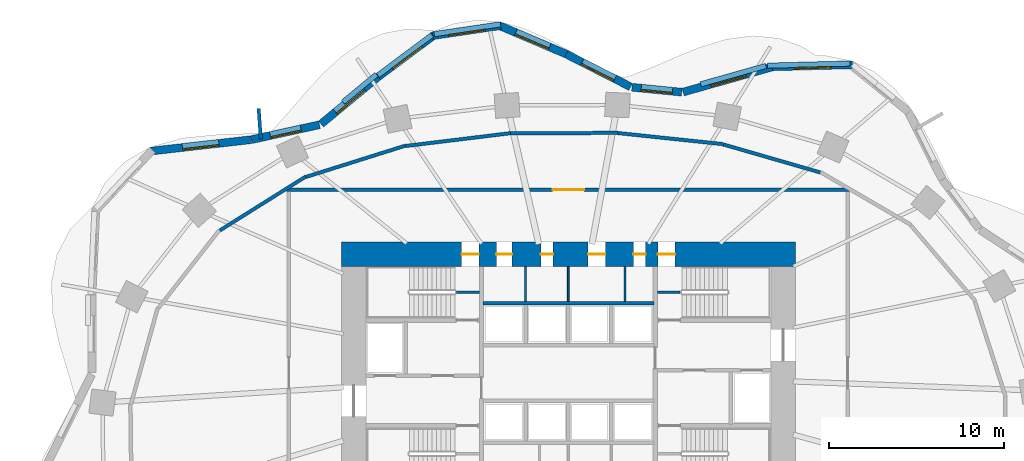
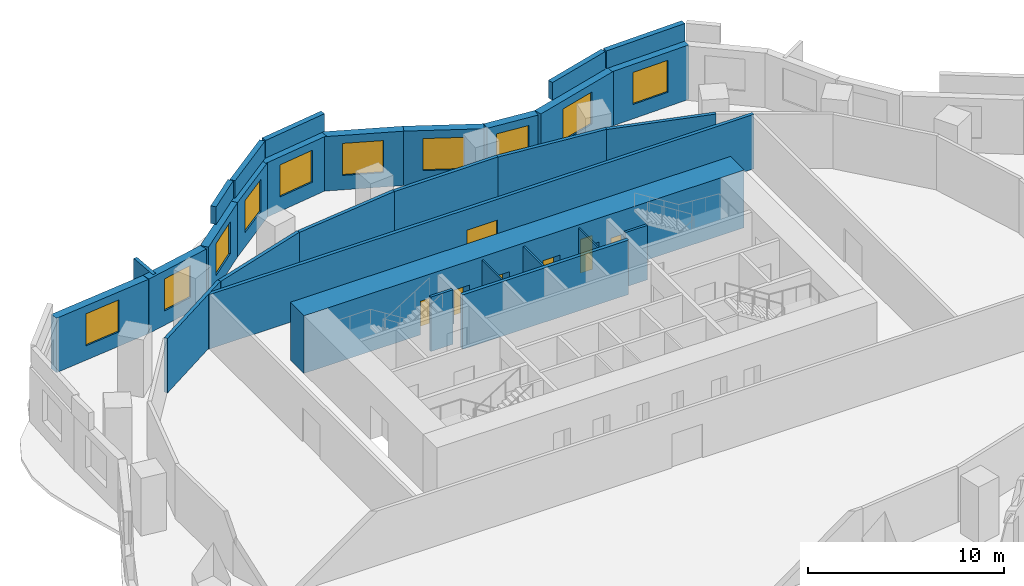
# One storey, part 6 of 8: 30 walls, 10 windows, 7 doors, 17 openings.
"""IFC4 building model written with IfcOpenShell, lengths in metres."""

from ifc_helpers import new_model, si_unit, direction, frame, frame_2d, origin, place, context, subcontext, project, spatial, rectangle, extrude, material, layer, layer_set, type_object, element, fill, save


model = new_model("IFC4")

# Units and contexts
model_context = context("Model", 3, precision=1e-05, world=origin(), true_north=direction((0.0, 1.0)))
body_context = subcontext(model_context, "Body", "Model", "MODEL_VIEW")
ifc_project = project(units=[si_unit("LENGTHUNIT", "METRE"), si_unit("AREAUNIT", "SQUARE_METRE"), si_unit("VOLUMEUNIT", "CUBIC_METRE"), si_unit("PLANEANGLEUNIT", "RADIAN"), si_unit("MASSUNIT", "GRAM", prefix="KILO")], contexts=[model_context])

# Site, building, storey
site_placement = place(None, origin())
site = spatial("IfcSite", under=ifc_project, at=site_placement, CompositionType="ELEMENT")
building_placement = place(site_placement, origin())
building = spatial("IfcBuilding", under=site, at=building_placement, Name="Rubra Terraces Tower", CompositionType="ELEMENT")
storey_placement = place(building_placement, frame((0.0, 0.0, 55.5)))
storey = spatial("IfcBuildingStorey", under=building, at=storey_placement, Name="L11", CompositionType="ELEMENT", Elevation=55.5)

# Wall, opening, window
ifc_material_1 = material(Name="Brick masonry red-brown", Category="masonry")
ifc_layer_1 = layer(ifc_material_1, 0.449951171875)
ifc_layer_set_1 = layer_set([ifc_layer_1], Name="Brick masonry red-brown")
wall_type_1 = type_object("IfcWallType", Name="Brick facade wall 450", PredefinedType="SOLIDWALL", material=ifc_layer_set_1)
wall_1_placement = place(storey_placement, frame((16.264892578125, 22.153076171875, 0.0), z_axis=(0.0, 0.0, 1.0), x_axis=(-0.999672618135, -0.025586257081, 0.0)))
wall_1 = element("IfcWall", 1, at=wall_1_placement, inside=storey, type_object=wall_type_1, Name="Facade wall L11 bay 7", PredefinedType="SOLIDWALL", context=body_context, shape_type="SweptSolid", body=[
    extrude(rectangle(XDim=4.589599609375, YDim=0.449951171875, at=frame_2d((2.294921875, 0.0))), origin(), (0.0, 0.0, 1.0), 3.39990234375),
])
opening_1_placement = place(wall_1_placement, frame((1.244873046875, 0.0, 0.89990234375)))
opening_1 = element("IfcOpeningElement", 2, at=opening_1_placement, cuts=wall_1, Name="Opening W1", PredefinedType="OPENING", context=body_context, shape_type="SweptSolid", body=[
    extrude(rectangle(XDim=2.10009765625, YDim=2.0, at=frame_2d((1.050048828125, 1.0))), frame((0.0, 0.23486328125, 0.0), z_axis=(0.0, -1.0, 0.0), x_axis=(1.0, 0.0, 0.0)), (0.0, 0.0, 1.0), 0.469970703125),
])
ifc_material_2 = material(Name="Clear glass in aluminium frame", Category="aluminium")
window_type_1 = type_object("IfcWindowType", Name="Fixed deep-set window 2100 x 2000", PartitioningType="SINGLE_PANEL", PredefinedType="WINDOW", material=ifc_material_2)
window_1_placement = place(opening_1_placement, origin())
window_1 = element("IfcWindow", 3, at=window_1_placement, inside=storey, type_object=window_type_1, Name="Window L11 bay 7", OverallHeight=2.0, OverallWidth=2.10009765625, PartitioningType="SINGLE_PANEL", PredefinedType="WINDOW", context=body_context, shape_type="SweptSolid", body=[
    extrude(rectangle(XDim=2.10009765625, YDim=2.0, at=frame_2d((1.050048828125, 1.0))), frame((0.0, 0.135009765625, 0.0), z_axis=(0.0, -1.0, 0.0), x_axis=(1.0, 0.0, 0.0)), (0.0, 0.0, 1.0), 0.06005859375),
])
fill(opening_1, window_1)

wall_2_placement = place(storey_placement, frame((11.73193359375, 22.0439453125, 0.0), z_axis=(0.0, 0.0, 1.0), x_axis=(-0.962535416232, -0.271155992925, 0.0)))
wall_2 = element("IfcWall", 4, at=wall_2_placement, inside=storey, type_object=wall_type_1, Name="Facade wall L11 bay 8", PredefinedType="SOLIDWALL", context=body_context, shape_type="SweptSolid", body=[
    extrude(rectangle(XDim=5.357177734375, YDim=0.449951171875, at=frame_2d((2.6787109375, 0.0))), origin(), (0.0, 0.0, 1.0), 3.39990234375),
])
opening_2_placement = place(wall_2_placement, frame((1.628662109375, 0.0, 0.89990234375)))
opening_2 = element("IfcOpeningElement", 5, at=opening_2_placement, cuts=wall_2, Name="Opening W1", PredefinedType="OPENING", context=body_context, shape_type="SweptSolid", body=[
    extrude(rectangle(XDim=2.10009765625, YDim=2.0, at=frame_2d((1.050048828125, 1.0))), frame((0.0, 0.23486328125, 0.0), z_axis=(0.0, -1.0, 0.0), x_axis=(1.0, 0.0, 0.0)), (0.0, 0.0, 1.0), 0.469970703125),
])
window_2_placement = place(opening_2_placement, origin())
window_2 = element("IfcWindow", 6, at=window_2_placement, inside=storey, type_object=window_type_1, Name="Window L11 bay 8", OverallHeight=2.0, OverallWidth=2.10009765625, PartitioningType="SINGLE_PANEL", PredefinedType="WINDOW", context=body_context, shape_type="SweptSolid", body=[
    extrude(rectangle(XDim=2.10009765625, YDim=2.0, at=frame_2d((1.050048828125, 1.0))), frame((0.0, 0.135009765625, 0.0), z_axis=(0.0, -1.0, 0.0), x_axis=(1.0, 0.0, 0.0)), (0.0, 0.0, 1.0), 0.06005859375),
])
fill(opening_2, window_2)

wall_3_placement = place(storey_placement, frame((6.4921875, 20.583984375, 0.0), z_axis=(0.0, 0.0, 1.0), x_axis=(-0.995123748575, 0.098634299418, 0.0)))
wall_3 = element("IfcWall", 7, at=wall_3_placement, inside=storey, type_object=wall_type_1, Name="Facade wall L11 bay 9", PredefinedType="SOLIDWALL", context=body_context, shape_type="SweptSolid", body=[
    extrude(rectangle(XDim=2.86376953125, YDim=0.449951171875, at=frame_2d((1.431884765625, 0.0))), origin(), (0.0, 0.0, 1.0), 3.39990234375),
])
opening_3_placement = place(wall_3_placement, frame((0.531982421875, 0.0, 0.89990234375)))
opening_3 = element("IfcOpeningElement", 8, at=opening_3_placement, cuts=wall_3, Name="Opening W6", PredefinedType="OPENING", context=body_context, shape_type="SweptSolid", body=[
    extrude(rectangle(XDim=1.800048828125, YDim=2.0, at=frame_2d((0.89990234375, 1.0))), frame((0.0, 0.23486328125, 0.0), z_axis=(0.0, -1.0, 0.0), x_axis=(1.0, 0.0, 0.0)), (0.0, 0.0, 1.0), 0.469970703125),
])
window_type_2 = type_object("IfcWindowType", Name="Fixed deep-set window at wind fin 1800 x 2000", PartitioningType="SINGLE_PANEL", PredefinedType="WINDOW", material=ifc_material_2)
window_3_placement = place(opening_3_placement, origin())
window_3 = element("IfcWindow", 9, at=window_3_placement, inside=storey, type_object=window_type_2, Name="Window L11 bay 9", OverallHeight=2.0, OverallWidth=1.800048828125, PartitioningType="SINGLE_PANEL", PredefinedType="WINDOW", context=body_context, shape_type="SweptSolid", body=[
    extrude(rectangle(XDim=1.800048828125, YDim=2.0, at=frame_2d((0.89990234375, 1.0))), frame((0.0, 0.135009765625, 0.0), z_axis=(0.0, -1.0, 0.0), x_axis=(1.0, 0.0, 0.0)), (0.0, 0.0, 1.0), 0.06005859375),
])
fill(opening_3, window_3)

wall_4_placement = place(storey_placement, frame((3.564208984375, 20.888916015625, 0.0), z_axis=(0.0, 0.0, 1.0), x_axis=(-0.891033634447, 0.453937288933, 0.0)))
wall_4 = element("IfcWall", 10, at=wall_4_placement, inside=storey, type_object=wall_type_1, Name="Facade wall L11 bay 10", PredefinedType="SOLIDWALL", context=body_context, shape_type="SweptSolid", body=[
    extrude(rectangle(XDim=4.131591796875, YDim=0.449951171875, at=frame_2d((2.06591796875, 0.0))), origin(), (0.0, 0.0, 1.0), 3.39990234375),
])
opening_4_placement = place(wall_4_placement, frame((1.015869140625, 0.0, 0.89990234375)))
opening_4 = element("IfcOpeningElement", 11, at=opening_4_placement, cuts=wall_4, Name="Opening W1", PredefinedType="OPENING", context=body_context, shape_type="SweptSolid", body=[
    extrude(rectangle(XDim=2.10009765625, YDim=2.0, at=frame_2d((1.050048828125, 1.0))), frame((0.0, 0.23486328125, 0.0), z_axis=(0.0, -1.0, 0.0), x_axis=(1.0, 0.0, 0.0)), (0.0, 0.0, 1.0), 0.469970703125),
])
window_4_placement = place(opening_4_placement, origin())
window_4 = element("IfcWindow", 12, at=window_4_placement, inside=storey, type_object=window_type_1, Name="Window L11 bay 10", OverallHeight=2.0, OverallWidth=2.10009765625, PartitioningType="SINGLE_PANEL", PredefinedType="WINDOW", context=body_context, shape_type="SweptSolid", body=[
    extrude(rectangle(XDim=2.10009765625, YDim=2.0, at=frame_2d((1.050048828125, 1.0))), frame((0.0, 0.135009765625, 0.0), z_axis=(0.0, -1.0, 0.0), x_axis=(1.0, 0.0, 0.0)), (0.0, 0.0, 1.0), 0.06005859375),
])
fill(opening_4, window_4)

wall_5_placement = place(storey_placement, frame((-0.103271484375, 22.7578125, 0.0), z_axis=(0.0, 0.0, 1.0), x_axis=(-0.920037498786, 0.391830321475, 0.0)))
wall_5 = element("IfcWall", 13, at=wall_5_placement, inside=storey, type_object=wall_type_1, Name="Facade wall L11 bay 11", PredefinedType="SOLIDWALL", context=body_context, shape_type="SweptSolid", body=[
    extrude(rectangle(XDim=4.219482421875, YDim=0.449951171875, at=frame_2d((2.10986328125, 0.0))), origin(), (0.0, 0.0, 1.0), 3.39990234375),
])
opening_5_placement = place(wall_5_placement, frame((1.059814453125, 0.0, 0.89990234375)))
opening_5 = element("IfcOpeningElement", 14, at=opening_5_placement, cuts=wall_5, Name="Opening W1", PredefinedType="OPENING", context=body_context, shape_type="SweptSolid", body=[
    extrude(rectangle(XDim=2.10009765625, YDim=2.0, at=frame_2d((1.050048828125, 1.0))), frame((0.0, 0.23486328125, 0.0), z_axis=(0.0, -1.0, 0.0), x_axis=(1.0, 0.0, 0.0)), (0.0, 0.0, 1.0), 0.469970703125),
])
window_5_placement = place(opening_5_placement, origin())
window_5 = element("IfcWindow", 15, at=window_5_placement, inside=storey, type_object=window_type_1, Name="Window L11 bay 11", OverallHeight=2.0, OverallWidth=2.10009765625, PartitioningType="SINGLE_PANEL", PredefinedType="WINDOW", context=body_context, shape_type="SweptSolid", body=[
    extrude(rectangle(XDim=2.10009765625, YDim=2.0, at=frame_2d((1.050048828125, 1.0))), frame((0.0, 0.135009765625, 0.0), z_axis=(0.0, -1.0, 0.0), x_axis=(1.0, 0.0, 0.0)), (0.0, 0.0, 1.0), 0.06005859375),
])
fill(opening_5, window_5)

wall_6_placement = place(storey_placement, frame((-3.8662109375, 24.396484375, 0.0), z_axis=(0.0, 0.0, 1.0), x_axis=(-0.989255112942, -0.146199594798, 0.0)))
wall_6 = element("IfcWall", 16, at=wall_6_placement, inside=storey, type_object=wall_type_1, Name="Facade wall L11 bay 12", PredefinedType="SOLIDWALL", context=body_context, shape_type="SweptSolid", body=[
    extrude(rectangle(XDim=3.954345703125, YDim=0.449951171875, at=frame_2d((1.97705078125, 0.0))), origin(), (0.0, 0.0, 1.0), 3.39990234375),
])
opening_6_placement = place(wall_6_placement, frame((0.92724609375, 0.0, 0.89990234375)))
opening_6 = element("IfcOpeningElement", 17, at=opening_6_placement, cuts=wall_6, Name="Opening W1", PredefinedType="OPENING", context=body_context, shape_type="SweptSolid", body=[
    extrude(rectangle(XDim=2.10009765625, YDim=2.0, at=frame_2d((1.050048828125, 1.0))), frame((0.0, 0.23486328125, 0.0), z_axis=(0.0, -1.0, 0.0), x_axis=(1.0, 0.0, 0.0)), (0.0, 0.0, 1.0), 0.469970703125),
])
window_6_placement = place(opening_6_placement, origin())
window_6 = element("IfcWindow", 18, at=window_6_placement, inside=storey, type_object=window_type_1, Name="Window L11 bay 12", OverallHeight=2.0, OverallWidth=2.10009765625, PartitioningType="SINGLE_PANEL", PredefinedType="WINDOW", context=body_context, shape_type="SweptSolid", body=[
    extrude(rectangle(XDim=2.10009765625, YDim=2.0, at=frame_2d((1.050048828125, 1.0))), frame((0.0, 0.135009765625, 0.0), z_axis=(0.0, -1.0, 0.0), x_axis=(1.0, 0.0, 0.0)), (0.0, 0.0, 1.0), 0.06005859375),
])
fill(opening_6, window_6)

wall_7_placement = place(storey_placement, frame((-7.678466796875, 23.859130859375, 0.0), z_axis=(0.0, 0.0, 1.0), x_axis=(-0.801665619573, -0.597772728046, 0.0)))
wall_7 = element("IfcWall", 19, at=wall_7_placement, inside=storey, type_object=wall_type_1, Name="Facade wall L11 bay 13", PredefinedType="SOLIDWALL", context=body_context, shape_type="SweptSolid", body=[
    extrude(rectangle(XDim=4.0029296875, YDim=0.449951171875, at=frame_2d((2.00146484375, 0.0))), origin(), (0.0, 0.0, 1.0), 3.39990234375),
])
opening_7_placement = place(wall_7_placement, frame((0.951416015625, 0.0, 0.89990234375)))
opening_7 = element("IfcOpeningElement", 20, at=opening_7_placement, cuts=wall_7, Name="Opening W1", PredefinedType="OPENING", context=body_context, shape_type="SweptSolid", body=[
    extrude(rectangle(XDim=2.10009765625, YDim=2.0, at=frame_2d((1.050048828125, 1.0))), frame((0.0, 0.23486328125, 0.0), z_axis=(0.0, -1.0, 0.0), x_axis=(1.0, 0.0, 0.0)), (0.0, 0.0, 1.0), 0.469970703125),
])
window_7_placement = place(opening_7_placement, origin())
window_7 = element("IfcWindow", 21, at=window_7_placement, inside=storey, type_object=window_type_1, Name="Window L11 bay 13", OverallHeight=2.0, OverallWidth=2.10009765625, PartitioningType="SINGLE_PANEL", PredefinedType="WINDOW", context=body_context, shape_type="SweptSolid", body=[
    extrude(rectangle(XDim=2.10009765625, YDim=2.0, at=frame_2d((1.050048828125, 1.0))), frame((0.0, 0.135009765625, 0.0), z_axis=(0.0, -1.0, 0.0), x_axis=(1.0, 0.0, 0.0)), (0.0, 0.0, 1.0), 0.06005859375),
])
fill(opening_7, window_7)

wall_8_placement = place(storey_placement, frame((-10.878662109375, 21.473388671875, 0.0), z_axis=(0.0, 0.0, 1.0), x_axis=(-0.77124668946, -0.636536365023, 0.0)))
wall_8 = element("IfcWall", 22, at=wall_8_placement, inside=storey, type_object=wall_type_1, Name="Facade wall L11 bay 14", PredefinedType="SOLIDWALL", context=body_context, shape_type="SweptSolid", body=[
    extrude(rectangle(XDim=4.2607421875, YDim=0.449951171875, at=frame_2d((2.13037109375, 0.0))), origin(), (0.0, 0.0, 1.0), 3.39990234375),
])
opening_8_placement = place(wall_8_placement, frame((1.080322265625, 0.0, 0.89990234375)))
opening_8 = element("IfcOpeningElement", 23, at=opening_8_placement, cuts=wall_8, Name="Opening W1", PredefinedType="OPENING", context=body_context, shape_type="SweptSolid", body=[
    extrude(rectangle(XDim=2.10009765625, YDim=2.0, at=frame_2d((1.050048828125, 1.0))), frame((0.0, 0.23486328125, 0.0), z_axis=(0.0, -1.0, 0.0), x_axis=(1.0, 0.0, 0.0)), (0.0, 0.0, 1.0), 0.469970703125),
])
window_8_placement = place(opening_8_placement, origin())
window_8 = element("IfcWindow", 24, at=window_8_placement, inside=storey, type_object=window_type_1, Name="Window L11 bay 14", OverallHeight=2.0, OverallWidth=2.10009765625, PartitioningType="SINGLE_PANEL", PredefinedType="WINDOW", context=body_context, shape_type="SweptSolid", body=[
    extrude(rectangle(XDim=2.10009765625, YDim=2.0, at=frame_2d((1.050048828125, 1.0))), frame((0.0, 0.135009765625, 0.0), z_axis=(0.0, -1.0, 0.0), x_axis=(1.0, 0.0, 0.0)), (0.0, 0.0, 1.0), 0.06005859375),
])
fill(opening_8, window_8)

wall_9_placement = place(storey_placement, frame((-14.250732421875, 18.71826171875, 0.0), z_axis=(0.0, 0.0, 1.0), x_axis=(-0.976903627618, -0.213680374267, 0.0)))
wall_9 = element("IfcWall", 25, at=wall_9_placement, inside=storey, type_object=wall_type_1, Name="Facade wall L11 bay 15", PredefinedType="SOLIDWALL", context=body_context, shape_type="SweptSolid", body=[
    extrude(rectangle(XDim=3.970458984375, YDim=0.449951171875, at=frame_2d((1.9853515625, 0.0))), origin(), (0.0, 0.0, 1.0), 3.39990234375),
])
opening_9_placement = place(wall_9_placement, frame((1.085205078125, 0.0, 0.89990234375)))
opening_9 = element("IfcOpeningElement", 26, at=opening_9_placement, cuts=wall_9, Name="Opening W6", PredefinedType="OPENING", context=body_context, shape_type="SweptSolid", body=[
    extrude(rectangle(XDim=1.800048828125, YDim=2.0, at=frame_2d((0.89990234375, 1.0))), frame((0.0, 0.23486328125, 0.0), z_axis=(0.0, -1.0, 0.0), x_axis=(1.0, 0.0, 0.0)), (0.0, 0.0, 1.0), 0.469970703125),
])
window_9_placement = place(opening_9_placement, origin())
window_9 = element("IfcWindow", 27, at=window_9_placement, inside=storey, type_object=window_type_2, Name="Window L11 bay 15", OverallHeight=2.0, OverallWidth=1.800048828125, PartitioningType="SINGLE_PANEL", PredefinedType="WINDOW", context=body_context, shape_type="SweptSolid", body=[
    extrude(rectangle(XDim=1.800048828125, YDim=2.0, at=frame_2d((0.89990234375, 1.0))), frame((0.0, 0.135009765625, 0.0), z_axis=(0.0, -1.0, 0.0), x_axis=(1.0, 0.0, 0.0)), (0.0, 0.0, 1.0), 0.06005859375),
])
fill(opening_9, window_9)

wall_10_placement = place(storey_placement, frame((-18.154296875, 17.864990234375, 0.0), z_axis=(0.0, 0.0, 1.0), x_axis=(-0.993572909097, -0.113193967633, 0.0)))
wall_10 = element("IfcWall", 28, at=wall_10_placement, inside=storey, type_object=wall_type_1, Name="Facade wall L11 bay 16", PredefinedType="SOLIDWALL", context=body_context, shape_type="SweptSolid", body=[
    extrude(rectangle(XDim=5.838623046875, YDim=0.449951171875, at=frame_2d((2.91943359375, 0.0))), origin(), (0.0, 0.0, 1.0), 3.39990234375),
])
opening_10_placement = place(wall_10_placement, frame((1.869384765625, 0.0, 0.89990234375)))
opening_10 = element("IfcOpeningElement", 29, at=opening_10_placement, cuts=wall_10, Name="Opening W1", PredefinedType="OPENING", context=body_context, shape_type="SweptSolid", body=[
    extrude(rectangle(XDim=2.10009765625, YDim=2.0, at=frame_2d((1.050048828125, 1.0))), frame((0.0, 0.23486328125, 0.0), z_axis=(0.0, -1.0, 0.0), x_axis=(1.0, 0.0, 0.0)), (0.0, 0.0, 1.0), 0.469970703125),
])
window_10_placement = place(opening_10_placement, origin())
window_10 = element("IfcWindow", 30, at=window_10_placement, inside=storey, type_object=window_type_1, Name="Window L11 bay 16", OverallHeight=2.0, OverallWidth=2.10009765625, PartitioningType="SINGLE_PANEL", PredefinedType="WINDOW", context=body_context, shape_type="SweptSolid", body=[
    extrude(rectangle(XDim=2.10009765625, YDim=2.0, at=frame_2d((1.050048828125, 1.0))), frame((0.0, 0.135009765625, 0.0), z_axis=(0.0, -1.0, 0.0), x_axis=(1.0, 0.0, 0.0)), (0.0, 0.0, 1.0), 0.06005859375),
])
fill(opening_10, window_10)

# Walls
ifc_layer_2 = layer(ifc_material_1, 0.300048828125)
ifc_layer_set_2 = layer_set([ifc_layer_2], Name="Brick masonry red-brown")
wall_type_2 = type_object("IfcWallType", Name="Brick parapet 300", PredefinedType="PARAPET", material=ifc_layer_set_2)
wall_11_placement = place(storey_placement, frame((16.121826171875, 22.224365234375, 3.60009765625), z_axis=(0.0, 0.0, 1.0), x_axis=(-0.999672688687, -0.025583500399, 0.0)))
element("IfcWall", 31, at=wall_11_placement, inside=storey, type_object=wall_type_2, Name="Parapet L11 bay 7", PredefinedType="PARAPET", context=body_context, shape_type="SweptSolid", body=[
    extrude(rectangle(XDim=4.714111328125, YDim=0.300048828125, at=frame_2d((2.35693359375, 0.0))), origin(), (0.0, 0.0, 1.0), 1.099853515625),
])
wall_12_placement = place(storey_placement, frame((11.313720703125, 22.08935546875, 3.60009765625), z_axis=(0.0, 0.0, 1.0), x_axis=(-0.962524249835, -0.271195627691, 0.0)))
element("IfcWall", 32, at=wall_12_placement, inside=storey, type_object=wall_type_2, Name="Parapet L11 bay 8", PredefinedType="PARAPET", context=body_context, shape_type="SweptSolid", body=[
    extrude(rectangle(XDim=3.880126953125, YDim=0.300048828125, at=frame_2d((1.93994140625, 0.0))), origin(), (0.0, 0.0, 1.0), 1.099853515625),
])
wall_13_placement = place(storey_placement, frame((-3.877197265625, 24.470703125, 3.60009765625), z_axis=(0.0, 0.0, 1.0), x_axis=(-0.989252791024, -0.146215305118, 0.0)))
element("IfcWall", 33, at=wall_13_placement, inside=storey, type_object=wall_type_2, Name="Parapet L11 bay 12", PredefinedType="PARAPET", context=body_context, shape_type="SweptSolid", body=[
    extrude(rectangle(XDim=3.8486328125, YDim=0.300048828125, at=frame_2d((1.92431640625, 0.0))), origin(), (0.0, 0.0, 1.0), 1.099853515625),
])
wall_14_placement = place(storey_placement, frame((-7.80615234375, 23.857666015625, 3.60009765625), z_axis=(0.0, 0.0, 1.0), x_axis=(-0.801649538596, -0.597794293439, 0.0)))
element("IfcWall", 34, at=wall_14_placement, inside=storey, type_object=wall_type_2, Name="Parapet L11 bay 13", PredefinedType="PARAPET", context=body_context, shape_type="SweptSolid", body=[
    extrude(rectangle(XDim=3.86474609375, YDim=0.300048828125, at=frame_2d((1.932373046875, 0.0))), origin(), (0.0, 0.0, 1.0), 1.099853515625),
])
wall_15_placement = place(storey_placement, frame((-10.981689453125, 21.60107421875, 3.60009765625), z_axis=(0.0, 0.0, 1.0), x_axis=(-0.771295342686, -0.636477410715, 0.0)))
element("IfcWall", 35, at=wall_15_placement, inside=storey, type_object=wall_type_2, Name="Parapet L11 bay 14", PredefinedType="PARAPET", context=body_context, shape_type="SweptSolid", body=[
    extrude(rectangle(XDim=2.4990234375, YDim=0.300048828125, at=frame_2d((1.24951171875, 0.0))), origin(), (0.0, 0.0, 1.0), 1.099853515625),
])
ifc_layer_3 = layer(ifc_material_1, 0.199951171875)
ifc_layer_set_3 = layer_set([ifc_layer_3], Name="Brick masonry red-brown")
wall_type_3 = type_object("IfcWallType", Name="Brick wind fin 200", PredefinedType="SOLIDWALL", material=ifc_layer_set_3)
wall_16_placement = place(storey_placement, frame((-17.614013671875, 17.90087890625, 0.0), z_axis=(0.0, 0.0, 1.0), x_axis=(-0.069750000204, 0.997564502913, 0.0)))
element("IfcWall", 36, at=wall_16_placement, inside=storey, type_object=wall_type_3, Name="Wind fin L11 9", PredefinedType="SOLIDWALL", context=body_context, shape_type="SweptSolid", body=[
    extrude(rectangle(XDim=1.75, YDim=0.199951171875, at=frame_2d((0.875, 0.0))), origin(), (0.0, 0.0, 1.0), 3.39990234375),
])

# Wall, openings, doors
ifc_material_3 = material(Name="Concrete C70", Category="concrete")
ifc_layer_4 = layer(ifc_material_3, 1.39990234375)
ifc_layer_set_4 = layer_set([ifc_layer_4], Name="Concrete C70")
wall_type_4 = type_object("IfcWallType", Name="CORE WALL 1400 C70", PredefinedType="SHEAR", material=ifc_layer_set_4)
wall_17_placement = place(storey_placement, frame((-13.0, 11.300048828125, 0.0), z_axis=(0.0, 0.0, 1.0), x_axis=(1.0, 0.0, 0.0)))
wall_17 = element("IfcWall", 37, at=wall_17_placement, inside=storey, type_object=wall_type_4, Name="CORE WALL N L11", PredefinedType="SHEAR", context=body_context, shape_type="SweptSolid", body=[
    extrude(rectangle(XDim=26.0, YDim=1.39990234375, at=frame_2d((13.0, 0.0))), origin(), (0.0, 0.0, 1.0), 3.60009765625),
])
opening_11_placement = place(wall_17_placement, frame((8.875, 0.0, 0.0)))
opening_11 = element("IfcOpeningElement", 38, at=opening_11_placement, cuts=wall_17, Name="Opening L11.C17", PredefinedType="OPENING", context=body_context, shape_type="SweptSolid", body=[
    extrude(rectangle(XDim=0.89990234375, YDim=2.10009765625, at=frame_2d((0.449951171875, 1.050048828125))), frame((0.0, 0.7099609375, 0.0), z_axis=(0.0, -1.0, 0.0), x_axis=(1.0, 0.0, 0.0)), (0.0, 0.0, 1.0), 1.419921875),
])
opening_12_placement = place(wall_17_placement, frame((11.425048828125, 0.0, 0.0)))
opening_12 = element("IfcOpeningElement", 39, at=opening_12_placement, cuts=wall_17, Name="Opening L11.C18", PredefinedType="OPENING", context=body_context, shape_type="SweptSolid", body=[
    extrude(rectangle(XDim=0.699951171875, YDim=2.10009765625, at=frame_2d((0.35009765625, 1.050048828125))), frame((0.0, 0.7099609375, 0.0), z_axis=(0.0, -1.0, 0.0), x_axis=(1.0, 0.0, 0.0)), (0.0, 0.0, 1.0), 1.419921875),
])
opening_13_placement = place(wall_17_placement, frame((14.125, 0.0, 0.0)))
opening_13 = element("IfcOpeningElement", 40, at=opening_13_placement, cuts=wall_17, Name="Opening L11.C19", PredefinedType="OPENING", context=body_context, shape_type="SweptSolid", body=[
    extrude(rectangle(XDim=1.0, YDim=2.10009765625, at=frame_2d((0.5, 1.050048828125))), frame((0.0, 0.7099609375, 0.0), z_axis=(0.0, -1.0, 0.0), x_axis=(1.0, 0.0, 0.0)), (0.0, 0.0, 1.0), 1.419921875),
])
opening_14_placement = place(wall_17_placement, frame((16.72509765625, 0.0, 0.0)))
opening_14 = element("IfcOpeningElement", 41, at=opening_14_placement, cuts=wall_17, Name="Opening L11.C20", PredefinedType="OPENING", context=body_context, shape_type="SweptSolid", body=[
    extrude(rectangle(XDim=0.699951171875, YDim=2.10009765625, at=frame_2d((0.35009765625, 1.050048828125))), frame((0.0, 0.7099609375, 0.0), z_axis=(0.0, -1.0, 0.0), x_axis=(1.0, 0.0, 0.0)), (0.0, 0.0, 1.0), 1.419921875),
])
opening_15_placement = place(wall_17_placement, frame((6.8798828125, 0.0, 0.0)))
opening_15 = element("IfcOpeningElement", 42, at=opening_15_placement, cuts=wall_17, Name="Opening L11.C22", PredefinedType="OPENING", context=body_context, shape_type="SweptSolid", body=[
    extrude(rectangle(XDim=1.0, YDim=2.10009765625, at=frame_2d((0.5, 1.050048828125))), frame((0.0, 0.7099609375, 0.0), z_axis=(0.0, -1.0, 0.0), x_axis=(1.0, 0.0, 0.0)), (0.0, 0.0, 1.0), 1.419921875),
])
opening_16_placement = place(wall_17_placement, frame((18.1201171875, 0.0, 0.0)))
opening_16 = element("IfcOpeningElement", 43, at=opening_16_placement, cuts=wall_17, Name="Opening L11.C23", PredefinedType="OPENING", context=body_context, shape_type="SweptSolid", body=[
    extrude(rectangle(XDim=1.0, YDim=2.10009765625, at=frame_2d((0.5, 1.050048828125))), frame((0.0, 0.7099609375, 0.0), z_axis=(0.0, -1.0, 0.0), x_axis=(1.0, 0.0, 0.0)), (0.0, 0.0, 1.0), 1.419921875),
])
ifc_material_4 = material(Name="Painted steel", Category="steel")
door_type_1 = type_object("IfcDoorType", Name="Fire door 1000x2100 single", OperationType="NOTDEFINED", PredefinedType="DOOR", material=ifc_material_4)
door_1_placement = place(opening_13_placement, origin())
door_1 = element("IfcDoor", 44, at=door_1_placement, inside=storey, type_object=door_type_1, Name="General store door", OperationType="SINGLE_SWING_LEFT", OverallHeight=2.10009765625, OverallWidth=1.0, PredefinedType="DOOR", context=body_context, shape_type="SweptSolid", body=[
    extrude(rectangle(XDim=1.0, YDim=2.10009765625, at=frame_2d((0.5, 1.050048828125))), frame((0.0, 0.02490234375, 0.0), z_axis=(0.0, -1.0, 0.0), x_axis=(1.0, 0.0, 0.0)), (0.0, 0.0, 1.0), 0.050048828125),
])
fill(opening_13, door_1)
door_2_placement = place(opening_15_placement, origin())
door_2 = element("IfcDoor", 45, at=door_2_placement, inside=storey, type_object=door_type_1, Name="Stair S2 refuge door", OperationType="SINGLE_SWING_RIGHT", OverallHeight=2.10009765625, OverallWidth=1.0, PredefinedType="DOOR", context=body_context, shape_type="SweptSolid", body=[
    extrude(rectangle(XDim=1.0, YDim=2.10009765625, at=frame_2d((0.5, 1.050048828125))), frame((0.0, 0.02490234375, 0.0), z_axis=(0.0, -1.0, 0.0), x_axis=(1.0, 0.0, 0.0)), (0.0, 0.0, 1.0), 0.050048828125),
])
fill(opening_15, door_2)
door_3_placement = place(opening_16_placement, origin())
door_3 = element("IfcDoor", 46, at=door_3_placement, inside=storey, type_object=door_type_1, Name="Stair S3 refuge door", OperationType="SINGLE_SWING_LEFT", OverallHeight=2.10009765625, OverallWidth=1.0, PredefinedType="DOOR", context=body_context, shape_type="SweptSolid", body=[
    extrude(rectangle(XDim=1.0, YDim=2.10009765625, at=frame_2d((0.5, 1.050048828125))), frame((0.0, 0.02490234375, 0.0), z_axis=(0.0, -1.0, 0.0), x_axis=(1.0, 0.0, 0.0)), (0.0, 0.0, 1.0), 0.050048828125),
])
fill(opening_16, door_3)
door_type_2 = type_object("IfcDoorType", Name="Fire door 900x2100 single", OperationType="NOTDEFINED", PredefinedType="DOOR", material=ifc_material_4)
door_4_placement = place(opening_11_placement, origin())
door_4 = element("IfcDoor", 47, at=door_4_placement, inside=storey, type_object=door_type_2, Name="Cleaner's store door", OperationType="SINGLE_SWING_LEFT", OverallHeight=2.10009765625, OverallWidth=0.89990234375, PredefinedType="DOOR", context=body_context, shape_type="SweptSolid", body=[
    extrude(rectangle(XDim=0.89990234375, YDim=2.10009765625, at=frame_2d((0.449951171875, 1.050048828125))), frame((0.0, 0.02490234375, 0.0), z_axis=(0.0, -1.0, 0.0), x_axis=(1.0, 0.0, 0.0)), (0.0, 0.0, 1.0), 0.050048828125),
])
fill(opening_11, door_4)
door_type_3 = type_object("IfcDoorType", Name="Riser access door 700x2100 single", OperationType="NOTDEFINED", PredefinedType="DOOR", material=ifc_material_4)
door_5_placement = place(opening_12_placement, origin())
door_5 = element("IfcDoor", 48, at=door_5_placement, inside=storey, type_object=door_type_3, Name="Telecoms room door", OperationType="SINGLE_SWING_RIGHT", OverallHeight=2.10009765625, OverallWidth=0.699951171875, PredefinedType="DOOR", context=body_context, shape_type="SweptSolid", body=[
    extrude(rectangle(XDim=0.699951171875, YDim=2.10009765625, at=frame_2d((0.35009765625, 1.050048828125))), frame((0.0, 0.02490234375, 0.0), z_axis=(0.0, -1.0, 0.0), x_axis=(1.0, 0.0, 0.0)), (0.0, 0.0, 1.0), 0.050048828125),
])
fill(opening_12, door_5)
door_6_placement = place(opening_14_placement, origin())
door_6 = element("IfcDoor", 49, at=door_6_placement, inside=storey, type_object=door_type_3, Name="Mechanical riser (water and drainage) door", OperationType="SINGLE_SWING_RIGHT", OverallHeight=2.10009765625, OverallWidth=0.699951171875, PredefinedType="DOOR", context=body_context, shape_type="SweptSolid", body=[
    extrude(rectangle(XDim=0.699951171875, YDim=2.10009765625, at=frame_2d((0.35009765625, 1.050048828125))), frame((0.0, 0.02490234375, 0.0), z_axis=(0.0, -1.0, 0.0), x_axis=(1.0, 0.0, 0.0)), (0.0, 0.0, 1.0), 0.050048828125),
])
fill(opening_14, door_6)

# Walls
ifc_material_5 = material(Name="Concrete C30", Category="concrete")
ifc_layer_5 = layer(ifc_material_5, 0.199951171875)
ifc_layer_set_5 = layer_set([ifc_layer_5], Name="Concrete C30")
wall_type_5 = type_object("IfcWallType", Name="Core wall 200 concrete", PredefinedType="SOLIDWALL", material=ifc_layer_set_5)
wall_18_placement = place(storey_placement, frame((-4.89990234375, 8.5, 0.0), z_axis=(0.0, 0.0, 1.0), x_axis=(1.0, 0.0, 0.0)))
element("IfcWall", 50, at=wall_18_placement, inside=storey, type_object=wall_type_5, Name="LIFT SHAFT WALL L11", PredefinedType="SOLIDWALL", context=body_context, shape_type="SweptSolid", body=[
    extrude(rectangle(XDim=9.7998046875, YDim=0.199951171875, at=frame_2d((4.89990234375, 0.0))), origin(), (0.0, 0.0, 1.0), 3.39990234375),
])
ifc_material_6 = material(Name="Blockwork", Category="masonry")
ifc_layer_6 = layer(ifc_material_6, 0.199951171875)
ifc_layer_set_6 = layer_set([ifc_layer_6], Name="Blockwork")
wall_type_6 = type_object("IfcWallType", Name="Corridor partition 200 blockwork", PredefinedType="PARTITIONING", material=ifc_layer_set_6)
wall_19_placement = place(storey_placement, frame((-19.9619140625, 12.6640625, 0.0), z_axis=(0.0, 0.0, 1.0), x_axis=(0.847109868331, 0.531417793243, 0.0)))
element("IfcWall", 51, at=wall_19_placement, inside=storey, type_object=wall_type_6, Name="Partition wall", PredefinedType="PARTITIONING", context=body_context, shape_type="SweptSolid", body=[
    extrude(rectangle(XDim=5.8125, YDim=0.199951171875, at=frame_2d((2.90625, 0.0))), origin(), (0.0, 0.0, 1.0), 3.39990234375),
])

# Wall, opening, door
wall_20_placement = place(storey_placement, frame((-16.138916015625, 15.0, 0.0), z_axis=(0.0, 0.0, 1.0), x_axis=(1.0, 0.0, 0.0)))
wall_20 = element("IfcWall", 52, at=wall_20_placement, inside=storey, type_object=wall_type_6, Name="Partition wall", PredefinedType="PARTITIONING", context=body_context, shape_type="SweptSolid", body=[
    extrude(rectangle(XDim=32.204833984375, YDim=0.199951171875, at=frame_2d((16.1025390625, 0.0))), origin(), (0.0, 0.0, 1.0), 3.39990234375),
])
opening_17_placement = place(wall_20_placement, frame((15.239013671875, 0.0, 0.0)))
opening_17 = element("IfcOpeningElement", 53, at=opening_17_placement, cuts=wall_20, Name="Opening DB3", PredefinedType="OPENING", context=body_context, shape_type="SweptSolid", body=[
    extrude(rectangle(XDim=1.800048828125, YDim=2.10009765625, at=frame_2d((0.89990234375, 1.050048828125))), frame((0.0, 0.10986328125, 0.0), z_axis=(0.0, -1.0, 0.0), x_axis=(1.0, 0.0, 0.0)), (0.0, 0.0, 1.0), 0.219970703125),
])
door_type_4 = type_object("IfcDoorType", Name="Door 1800x2100 double", OperationType="NOTDEFINED", PredefinedType="DOOR", material=ifc_material_4)
door_7_placement = place(opening_17_placement, origin())
door_7 = element("IfcDoor", 54, at=door_7_placement, inside=storey, type_object=door_type_4, Name="Refuge area door L11-04", OperationType="DOUBLE_DOOR_SINGLE_SWING", OverallHeight=2.10009765625, OverallWidth=1.800048828125, PredefinedType="DOOR", context=body_context, shape_type="SweptSolid", body=[
    extrude(rectangle(XDim=1.800048828125, YDim=2.10009765625, at=frame_2d((0.89990234375, 1.050048828125))), frame((0.0, 0.02490234375, 0.0), z_axis=(0.0, -1.0, 0.0), x_axis=(1.0, 0.0, 0.0)), (0.0, 0.0, 1.0), 0.050048828125),
])
fill(opening_17, door_7)

# Walls
wall_21_placement = place(storey_placement, frame((-15.028076171875, 15.72998046875, 0.0), z_axis=(0.0, 0.0, 1.0), x_axis=(0.953899230101, 0.300127071108, 0.0)))
element("IfcWall", 55, at=wall_21_placement, inside=storey, type_object=wall_type_6, Name="Partition wall", PredefinedType="PARTITIONING", context=body_context, shape_type="SweptSolid", body=[
    extrude(rectangle(XDim=5.957763671875, YDim=0.199951171875, at=frame_2d((2.97900390625, 0.0))), origin(), (0.0, 0.0, 1.0), 3.39990234375),
])
wall_22_placement = place(storey_placement, frame((-9.341064453125, 17.5, 0.0), z_axis=(0.0, 0.0, 1.0), x_axis=(0.992636454539, 0.121131618992, 0.0)))
element("IfcWall", 56, at=wall_22_placement, inside=storey, type_object=wall_type_6, Name="Partition wall", PredefinedType="PARTITIONING", context=body_context, shape_type="SweptSolid", body=[
    extrude(rectangle(XDim=6.07666015625, YDim=0.199951171875, at=frame_2d((3.038330078125, 0.0))), origin(), (0.0, 0.0, 1.0), 3.39990234375),
])
wall_23_placement = place(storey_placement, frame((-3.30810546875, 18.22412109375, 0.0), z_axis=(0.0, 0.0, 1.0), x_axis=(0.999988230875, 0.004851609169, 0.0)))
element("IfcWall", 57, at=wall_23_placement, inside=storey, type_object=wall_type_6, Name="Partition wall", PredefinedType="PARTITIONING", context=body_context, shape_type="SweptSolid", body=[
    extrude(rectangle(XDim=6.13916015625, YDim=0.199951171875, at=frame_2d((3.069580078125, 0.0))), origin(), (0.0, 0.0, 1.0), 3.39990234375),
])
wall_24_placement = place(storey_placement, frame((2.830078125, 18.243896484375, 0.0), z_axis=(0.0, 0.0, 1.0), x_axis=(0.994495561058, -0.10477871461, 0.0)))
element("IfcWall", 58, at=wall_24_placement, inside=storey, type_object=wall_type_6, Name="Partition wall", PredefinedType="PARTITIONING", context=body_context, shape_type="SweptSolid", body=[
    extrude(rectangle(XDim=6.08837890625, YDim=0.199951171875, at=frame_2d((3.044189453125, 0.0))), origin(), (0.0, 0.0, 1.0), 3.39990234375),
])
wall_25_placement = place(storey_placement, frame((8.882080078125, 17.587890625, 0.0), z_axis=(0.0, 0.0, 1.0), x_axis=(0.960749021242, -0.277419029958, 0.0)))
element("IfcWall", 59, at=wall_25_placement, inside=storey, type_object=wall_type_6, Name="Partition wall", PredefinedType="PARTITIONING", context=body_context, shape_type="SweptSolid", body=[
    extrude(rectangle(XDim=5.7705078125, YDim=0.199951171875, at=frame_2d((2.88525390625, 0.0))), origin(), (0.0, 0.0, 1.0), 3.39990234375),
])
ifc_layer_7 = layer(ifc_material_6, 0.10009765625)
ifc_layer_set_7 = layer_set([ifc_layer_7], Name="Blockwork")
wall_type_7 = type_object("IfcWallType", Name="Service partition 100 blockwork", PredefinedType="PARTITIONING", material=ifc_layer_set_7)
for number, where, z_axis, x_axis, name in (
    (60, (-2.449951171875, 8.60009765625, 0.0), (0.0, 0.0, 1.0), (0.0, 1.0, 0.0), "SERVICE ROOM PARTITION L11"),
    (61, (0.0, 8.60009765625, 0.0), (0.0, 0.0, 1.0), (0.0, 1.0, 0.0), "SERVICE ROOM PARTITION L11"),
    (62, (3.25, 8.60009765625, 0.0), (0.0, 0.0, 1.0), (0.0, 1.0, 0.0), "SERVICE ROOM PARTITION L11"),
):
    element("IfcWall", number, at=place(storey_placement, frame(where, z_axis=z_axis, x_axis=x_axis)), inside=storey, type_object=wall_type_7, Name=name, PredefinedType="PARTITIONING", context=body_context, shape_type="SweptSolid", body=[
        extrude(rectangle(XDim=2.0, YDim=0.10009765625, at=frame_2d((1.0, 0.0))), origin(), (0.0, 0.0, 1.0), 3.39990234375),
    ])
ifc_material_7 = material(Name="Concrete C40", Category="concrete")
ifc_layer_8 = layer(ifc_material_7, 0.14990234375)
ifc_layer_set_8 = layer_set([ifc_layer_8], Name="Concrete C40")
wall_type_8 = type_object("IfcWallType", Name="Stair separation wall 150 concrete", PredefinedType="SOLIDWALL", material=ifc_layer_set_8)
for number, where, z_axis, x_axis, name in (
    (63, (6.39990234375, 9.125, 0.0), (0.0, 0.0, 1.0), (-1.0, 0.0, 0.0), "STAIR SEPARATION WALL L11"),
    (64, (-6.39990234375, 9.125, 0.0), (0.0, 0.0, 1.0), (1.0, 0.0, 0.0), "STAIR SEPARATION WALL L11"),
):
    element("IfcWall", number, at=place(storey_placement, frame(where, z_axis=z_axis, x_axis=x_axis)), inside=storey, type_object=wall_type_8, Name=name, PredefinedType="SOLIDWALL", context=body_context, shape_type="SweptSolid", body=[
        extrude(rectangle(XDim=1.2998046875, YDim=0.14990234375, at=frame_2d((0.64990234375, 0.0))), origin(), (0.0, 0.0, 1.0), 3.39990234375),
    ])

save(model, "model.ifc")
